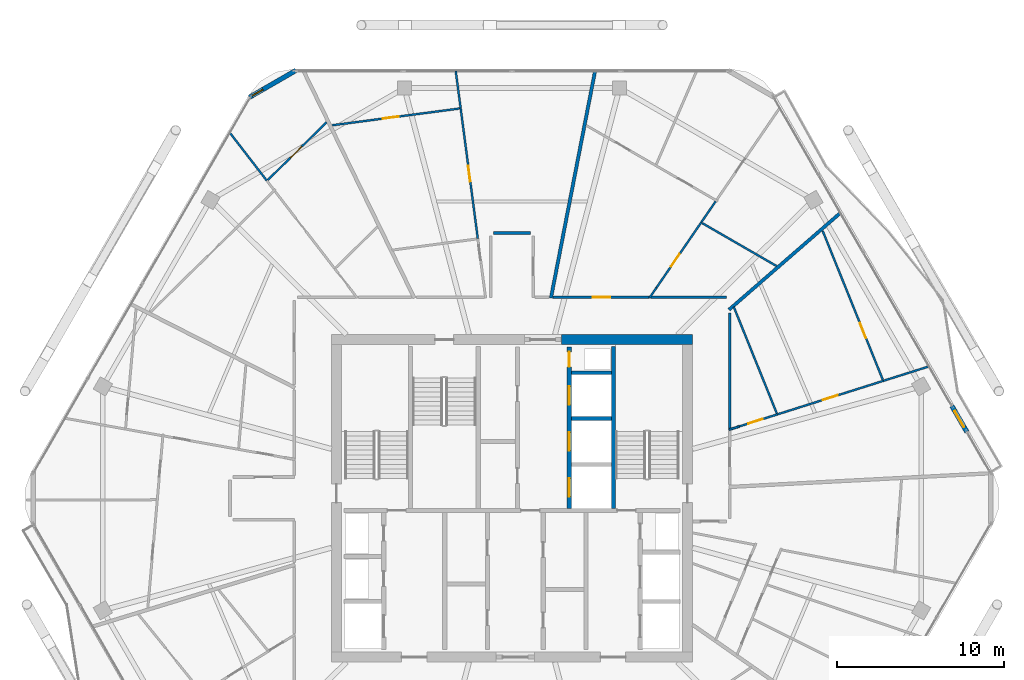
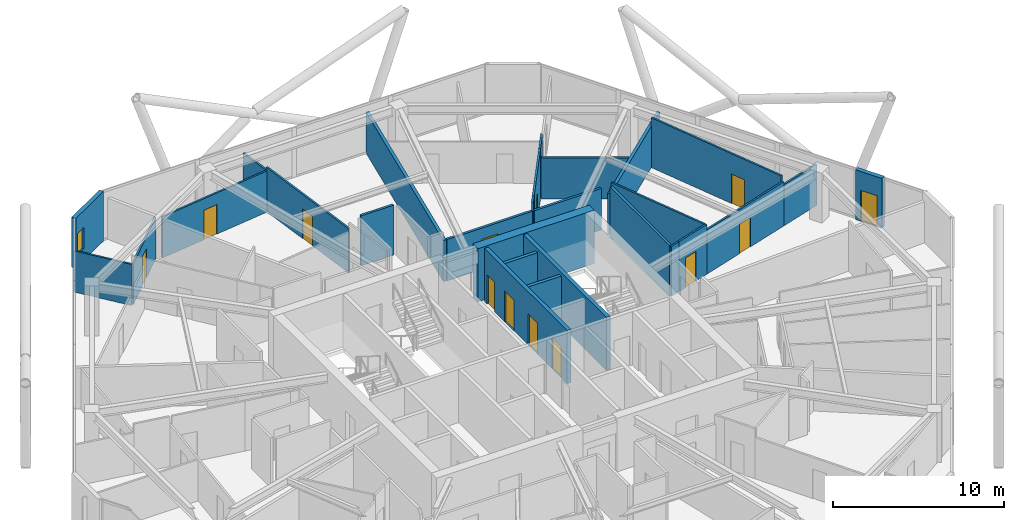
# One storey, part 24 of 28: 28 walls, 13 doors, 1 window, 14 openings.
"""IFC4 building model written with IfcOpenShell, lengths in metres."""

from ifc_helpers import new_model, si_unit, direction, frame, frame_2d, origin, place, context, subcontext, project, spatial, rectangle, extrude, material, layer, layer_set, type_object, element, fill, save


model = new_model("IFC4")

# Units and contexts
model_context = context("Model", 3, precision=1e-05, world=origin(), true_north=direction((0.0, 1.0)))
body_context = subcontext(model_context, "Body", "Model", "MODEL_VIEW")
ifc_project = project(units=[si_unit("LENGTHUNIT", "METRE"), si_unit("AREAUNIT", "SQUARE_METRE"), si_unit("VOLUMEUNIT", "CUBIC_METRE"), si_unit("PLANEANGLEUNIT", "RADIAN"), si_unit("MASSUNIT", "GRAM", prefix="KILO")], contexts=[model_context])

# Site, building, storey
site_placement = place(None, origin())
site = spatial("IfcSite", under=ifc_project, at=site_placement, CompositionType="ELEMENT")
building_placement = place(site_placement, origin())
building = spatial("IfcBuilding", under=site, at=building_placement, Name="Zuhravey Tower", CompositionType="ELEMENT")
storey_placement = place(building_placement, frame((0.0, 0.0, 284.39990234375)))
storey = spatial("IfcBuildingStorey", under=building, at=storey_placement, Name="L72", CompositionType="ELEMENT", Elevation=284.39990234375)

# Wall
ifc_material_1 = material(Name="Concrete C50/60", Category="concrete")
ifc_layer_1 = layer(ifc_material_1, 0.60009765625)
ifc_layer_set_1 = layer_set([ifc_layer_1], Name="Concrete C50/60")
wall_type_1 = type_object("IfcWallType", Name="Core Shear Wall 600", PredefinedType="SHEAR", material=ifc_layer_set_1)
wall_1_placement = place(storey_placement, frame((46.800048828125, 41.5, 0.0), z_axis=(0.0, 0.0, 1.0), x_axis=(-1.0, 0.0, 0.0)))
element("IfcWall", 1, at=wall_1_placement, inside=storey, type_object=wall_type_1, Name="L72 North-East Core Shear Wall CW60", PredefinedType="SHEAR", context=body_context, shape_type="SweptSolid", body=[
    extrude(rectangle(XDim=7.85009765625, YDim=0.60009765625, at=frame_2d((3.925048828125, 0.0))), origin(), (0.0, 0.0, 1.0), 3.800048828125),
])

# Wall, opening, door
ifc_material_2 = material(Name="Gypsum fire-rated stud partition")
ifc_layer_2 = layer(ifc_material_2, 0.159912109375)
ifc_layer_set_2 = layer_set([ifc_layer_2], Name="Gypsum fire-rated stud partition")
wall_type_2 = type_object("IfcWallType", Name="Corridor Fire Partition 160", PredefinedType="PARTITIONING", material=ifc_layer_set_2)
wall_2_placement = place(storey_placement, frame((44.22509765625, 44.030029296875, 0.0), z_axis=(0.0, 0.0, 1.0), x_axis=(-1.0, 0.0, 0.0)))
wall_2 = element("IfcWall", 2, at=wall_2_placement, inside=storey, type_object=wall_type_2, Name="L72 IW16 Partition 055", PredefinedType="PARTITIONING", context=body_context, shape_type="SweptSolid", body=[
    extrude(rectangle(XDim=5.757080078125, YDim=0.159912109375, at=frame_2d((2.87841796875, 0.0))), origin(), (0.0, 0.0, 1.0), 2.9501953125),
])
opening_1_placement = place(wall_2_placement, frame((2.353759765625, 0.0, 0.0)))
opening_1 = element("IfcOpeningElement", 3, at=opening_1_placement, cuts=wall_2, Name="Opening APD1", PredefinedType="OPENING", context=body_context, shape_type="SweptSolid", body=[
    extrude(rectangle(XDim=1.050048828125, YDim=2.14990234375, at=frame_2d((0.52490234375, 1.074951171875))), frame((0.0, 0.092041015625, 0.0), z_axis=(0.0, -1.0, 0.0), x_axis=(1.0, 0.0, 0.0)), (0.0, 0.0, 1.0), 0.183837890625),
])
ifc_material_3 = material(Name="Solid-core oak fire-rated leaf")
door_type_1 = type_object("IfcDoorType", Name="Apartment Entrance Fire Door 1050x2150", OperationType="NOTDEFINED", PredefinedType="DOOR", material=ifc_material_3)
door_1_placement = place(opening_1_placement, frame((1.050048828125, 0.0, 0.0), z_axis=(0.0, 0.0, 1.0), x_axis=(-1.0, 0.0, 0.0)))
door_1 = element("IfcDoor", 4, at=door_1_placement, inside=storey, type_object=door_type_1, Name="L72 Door 055.1", OperationType="SINGLE_SWING_LEFT", OverallHeight=2.14990234375, OverallWidth=1.050048828125, PredefinedType="DOOR", context=body_context, shape_type="SweptSolid", body=[
    extrude(rectangle(XDim=1.050048828125, YDim=2.14990234375, at=frame_2d((0.52490234375, 1.074951171875))), frame((0.0, 0.02490234375, 0.0), z_axis=(0.0, -1.0, 0.0), x_axis=(1.0, 0.0, 0.0)), (0.0, 0.0, 1.0), 0.050048828125),
])
fill(opening_1, door_1)

# Walls
wall_3_placement = place(storey_placement, frame((49.030029296875, 36.194580078125, 0.0), z_axis=(0.0, 0.0, 1.0), x_axis=(0.0, 1.0, 0.0)))
element("IfcWall", 5, at=wall_3_placement, inside=storey, type_object=wall_type_2, Name="L72 IW16 Partition 130", PredefinedType="PARTITIONING", context=body_context, shape_type="SweptSolid", body=[
    extrude(rectangle(XDim=6.90771484375, YDim=0.159912109375, at=frame_2d((3.453857421875, 0.0))), origin(), (0.0, 0.0, 1.0), 3.550048828125),
])
wall_4_placement = place(storey_placement, frame((48.85009765625, 44.030029296875, 0.0), z_axis=(0.0, 0.0, 1.0), x_axis=(-1.0, 0.0, 0.0)))
element("IfcWall", 6, at=wall_4_placement, inside=storey, type_object=wall_type_2, Name="L72 IW16 Partition 131", PredefinedType="PARTITIONING", context=body_context, shape_type="SweptSolid", body=[
    extrude(rectangle(XDim=4.518310546875, YDim=0.159912109375, at=frame_2d((2.25927734375, 0.0))), origin(), (0.0, 0.0, 1.0), 2.9501953125),
])
wall_5_placement = place(storey_placement, frame((37.10009765625, 47.8798828125, 0.0), z_axis=(0.0, 0.0, 1.0), x_axis=(-1.0, 0.0, 0.0)))
element("IfcWall", 7, at=wall_5_placement, inside=storey, type_object=wall_type_2, Name="L72 IW16 Partition 133", PredefinedType="PARTITIONING", context=body_context, shape_type="SweptSolid", body=[
    extrude(rectangle(XDim=2.2001953125, YDim=0.159912109375, at=frame_2d((1.10009765625, 0.0))), origin(), (0.0, 0.0, 1.0), 3.550048828125),
])

# Wall, opening, window
ifc_material_4 = material(Name="Precast concrete C40/50", Category="concrete")
ifc_layer_3 = layer(ifc_material_4, 0.280029296875)
ifc_layer_set_3 = layer_set([ifc_layer_3], Name="Precast concrete C40/50")
wall_type_3 = type_object("IfcWallType", Name="Crown Architectural Wall 280", PredefinedType="SOLIDWALL", material=ifc_layer_set_3)
wall_6_placement = place(storey_placement, frame((20.285400390625, 56.003662109375, 0.0), z_axis=(0.0, 0.0, 1.0), x_axis=(0.866028773314, 0.499994163758, 0.0)))
wall_6 = element("IfcWall", 8, at=wall_6_placement, inside=storey, type_object=wall_type_3, Name="L72 Rounded Corner Closure Wall EW28-08", PredefinedType="SOLIDWALL", context=body_context, shape_type="SweptSolid", body=[
    extrude(rectangle(XDim=3.21484375, YDim=0.280029296875, at=frame_2d((1.607421875, 0.0))), origin(), (0.0, 0.0, 1.0), 3.550048828125),
])
opening_2_placement = place(wall_6_placement, frame((0.17578125, 0.0, 0.85009765625)))
opening_2 = element("IfcOpeningElement", 9, at=opening_2_placement, cuts=wall_6, Name="Opening WN5", PredefinedType="OPENING", context=body_context, shape_type="SweptSolid", body=[
    extrude(rectangle(XDim=0.75, YDim=1.5, at=frame_2d((0.375, 0.75))), frame((0.0, 0.152099609375, 0.0), z_axis=(0.0, -1.0, 0.0), x_axis=(1.0, 0.0, 0.0)), (0.0, 0.0, 1.0), 0.303955078125),
])
ifc_material_5 = material(Name="Thermally broken aluminium and triple low-E glass", Category="aluminium")
window_type = type_object("IfcWindowType", Name="Residential Corner Casement Window 750x1500", PartitioningType="SINGLE_PANEL", PredefinedType="WINDOW", material=ifc_material_5)
window_placement = place(opening_2_placement, origin())
window = element("IfcWindow", 10, at=window_placement, inside=storey, type_object=window_type, Name="L72 Corner Casement Window WN5-08.1", OverallHeight=1.5, OverallWidth=0.75, PartitioningType="SINGLE_PANEL", PredefinedType="WINDOW", context=body_context, shape_type="SweptSolid", body=[
    extrude(rectangle(XDim=0.75, YDim=1.5, at=frame_2d((0.375, 0.75))), frame((0.0, 0.030029296875, 0.0), z_axis=(0.0, -1.0, 0.0), x_axis=(1.0, 0.0, 0.0)), (0.0, 0.0, 1.0), 0.06005859375),
])
fill(opening_2, window)

# Wall, opening, door
wall_7_placement = place(storey_placement, frame((62.32568359375, 37.530029296875, 0.0), z_axis=(0.0, 0.0, 1.0), x_axis=(0.499982180423, -0.866035691677, 0.0)))
wall_7 = element("IfcWall", 11, at=wall_7_placement, inside=storey, type_object=wall_type_3, Name="L72 Face 1 Facade Pier EW28-1", PredefinedType="SOLIDWALL", context=body_context, shape_type="SweptSolid", body=[
    extrude(rectangle(XDim=1.7900390625, YDim=0.280029296875, at=frame_2d((0.89501953125, 0.0))), origin(), (0.0, 0.0, 1.0), 3.550048828125),
])
opening_3_placement = place(wall_7_placement, frame((0.344970703125, 0.0, 0.0)))
opening_3 = element("IfcOpeningElement", 12, at=opening_3_placement, cuts=wall_7, Name="Opening BLD1", PredefinedType="OPENING", context=body_context, shape_type="SweptSolid", body=[
    extrude(rectangle(XDim=1.10009765625, YDim=2.199951171875, at=frame_2d((0.550048828125, 1.10009765625))), frame((0.0, 0.152099609375, 0.0), z_axis=(0.0, -1.0, 0.0), x_axis=(1.0, 0.0, 0.0)), (0.0, 0.0, 1.0), 0.303955078125),
])
ifc_material_6 = material(Name="Thermally broken aluminium and low-E glass", Category="aluminium")
door_type_2 = type_object("IfcDoorType", Name="Balcony & Sky-Tray Glazed Door 1100x2200", OperationType="NOTDEFINED", PredefinedType="DOOR", material=ifc_material_6)
door_2_placement = place(opening_3_placement, frame((1.10009765625, 0.0, 0.0), z_axis=(0.0, 0.0, 1.0), x_axis=(-1.0, 0.0, 0.0)))
door_2 = element("IfcDoor", 13, at=door_2_placement, inside=storey, type_object=door_type_2, Name="L72 Face 1 Wave Balcony Door", OperationType="SINGLE_SWING_RIGHT", OverallHeight=2.199951171875, OverallWidth=1.10009765625, PredefinedType="DOOR", context=body_context, shape_type="SweptSolid", body=[
    extrude(rectangle(XDim=1.10009765625, YDim=2.199951171875, at=frame_2d((0.550048828125, 1.10009765625))), frame((0.0, 0.02490234375, 0.0), z_axis=(0.0, -1.0, 0.0), x_axis=(1.0, 0.0, 0.0)), (0.0, 0.0, 1.0), 0.050048828125),
])
fill(opening_3, door_2)

# Wall
ifc_layer_4 = layer(ifc_material_1, 0.25)
ifc_layer_set_4 = layer_set([ifc_layer_4], Name="Concrete C50/60")
wall_type_4 = type_object("IfcWallType", Name="Firefighting Shaft & Stair Wall 250", PredefinedType="SOLIDWALL", material=ifc_layer_set_4)
wall_8_placement = place(storey_placement, frame((42.074951171875, 31.39990234375, 0.0), z_axis=(0.0, 0.0, 1.0), x_axis=(0.0, 1.0, 0.0)))
element("IfcWall", 14, at=wall_8_placement, inside=storey, type_object=wall_type_4, Name="L72 FW25 Shaft Wall 006", PredefinedType="SOLIDWALL", context=body_context, shape_type="SweptSolid", body=[
    extrude(rectangle(XDim=9.7001953125, YDim=0.25, at=frame_2d((4.85009765625, 0.0))), origin(), (0.0, 0.0, 1.0), 3.800048828125),
])

# Wall, openings, doors
wall_9_placement = place(storey_placement, frame((39.425048828125, 31.39990234375, 0.0), z_axis=(0.0, 0.0, 1.0), x_axis=(0.0, 1.0, 0.0)))
wall_9 = element("IfcWall", 15, at=wall_9_placement, inside=storey, type_object=wall_type_4, Name="L72 FW25 Shaft Wall 008", PredefinedType="SOLIDWALL", context=body_context, shape_type="SweptSolid", body=[
    extrude(rectangle(XDim=9.650146484375, YDim=0.25, at=frame_2d((4.8251953125, 0.0))), origin(), (0.0, 0.0, 1.0), 3.800048828125),
])
opening_4_placement = place(wall_9_placement, frame((0.699951171875, 0.0, 0.0)))
opening_4 = element("IfcOpeningElement", 16, at=opening_4_placement, cuts=wall_9, Name="Opening LD1", PredefinedType="OPENING", context=body_context, shape_type="SweptSolid", body=[
    extrude(rectangle(XDim=1.10009765625, YDim=2.199951171875, at=frame_2d((0.550048828125, 1.10009765625))), frame((0.0, 0.136962890625, 0.0), z_axis=(0.0, -1.0, 0.0), x_axis=(1.0, 0.0, 0.0)), (0.0, 0.0, 1.0), 0.27392578125),
])
opening_5_placement = place(wall_9_placement, frame((3.449951171875, 0.0, 0.0)))
opening_5 = element("IfcOpeningElement", 17, at=opening_5_placement, cuts=wall_9, Name="Opening LD1", PredefinedType="OPENING", context=body_context, shape_type="SweptSolid", body=[
    extrude(rectangle(XDim=1.10009765625, YDim=2.199951171875, at=frame_2d((0.550048828125, 1.10009765625))), frame((0.0, 0.136962890625, 0.0), z_axis=(0.0, -1.0, 0.0), x_axis=(1.0, 0.0, 0.0)), (0.0, 0.0, 1.0), 0.27392578125),
])
opening_6_placement = place(wall_9_placement, frame((6.199951171875, 0.0, 0.0)))
opening_6 = element("IfcOpeningElement", 18, at=opening_6_placement, cuts=wall_9, Name="Opening LD1", PredefinedType="OPENING", context=body_context, shape_type="SweptSolid", body=[
    extrude(rectangle(XDim=1.10009765625, YDim=2.199951171875, at=frame_2d((0.550048828125, 1.10009765625))), frame((0.0, 0.136962890625, 0.0), z_axis=(0.0, -1.0, 0.0), x_axis=(1.0, 0.0, 0.0)), (0.0, 0.0, 1.0), 0.27392578125),
])
opening_7_placement = place(wall_9_placement, frame((8.469970703125, 0.0, 0.0)))
opening_7 = element("IfcOpeningElement", 19, at=opening_7_placement, cuts=wall_9, Name="Opening RSD1", PredefinedType="OPENING", context=body_context, shape_type="SweptSolid", body=[
    extrude(rectangle(XDim=0.89990234375, YDim=2.10009765625, at=frame_2d((0.449951171875, 1.050048828125))), frame((0.0, 0.136962890625, 0.0), z_axis=(0.0, -1.0, 0.0), x_axis=(1.0, 0.0, 0.0)), (0.0, 0.0, 1.0), 0.27392578125),
])
ifc_material_7 = material(Name="Brushed stainless steel", Category="steel")
door_type_3 = type_object("IfcDoorType", Name="Lift Landing Sliding Door 1100x2200", OperationType="DOUBLE_DOOR_SLIDING", PredefinedType="DOOR", material=ifc_material_7)
door_3_placement = place(opening_4_placement, origin())
door_3 = element("IfcDoor", 20, at=door_3_placement, inside=storey, type_object=door_type_3, Name="L72 Lift PL7 Landing Door", OperationType="DOUBLE_DOOR_SLIDING", OverallHeight=2.199951171875, OverallWidth=1.10009765625, PredefinedType="DOOR", context=body_context, shape_type="SweptSolid", body=[
    extrude(rectangle(XDim=1.10009765625, YDim=2.199951171875, at=frame_2d((0.550048828125, 1.10009765625))), frame((0.0, 0.02490234375, 0.0), z_axis=(0.0, -1.0, 0.0), x_axis=(1.0, 0.0, 0.0)), (0.0, 0.0, 1.0), 0.050048828125),
])
fill(opening_4, door_3)
door_4_placement = place(opening_5_placement, origin())
door_4 = element("IfcDoor", 21, at=door_4_placement, inside=storey, type_object=door_type_3, Name="L72 Lift PL8 Landing Door", OperationType="DOUBLE_DOOR_SLIDING", OverallHeight=2.199951171875, OverallWidth=1.10009765625, PredefinedType="DOOR", context=body_context, shape_type="SweptSolid", body=[
    extrude(rectangle(XDim=1.10009765625, YDim=2.199951171875, at=frame_2d((0.550048828125, 1.10009765625))), frame((0.0, 0.02490234375, 0.0), z_axis=(0.0, -1.0, 0.0), x_axis=(1.0, 0.0, 0.0)), (0.0, 0.0, 1.0), 0.050048828125),
])
fill(opening_5, door_4)
door_5_placement = place(opening_6_placement, origin())
door_5 = element("IfcDoor", 22, at=door_5_placement, inside=storey, type_object=door_type_3, Name="L72 Lift PL9 Landing Door", OperationType="DOUBLE_DOOR_SLIDING", OverallHeight=2.199951171875, OverallWidth=1.10009765625, PredefinedType="DOOR", context=body_context, shape_type="SweptSolid", body=[
    extrude(rectangle(XDim=1.10009765625, YDim=2.199951171875, at=frame_2d((0.550048828125, 1.10009765625))), frame((0.0, 0.02490234375, 0.0), z_axis=(0.0, -1.0, 0.0), x_axis=(1.0, 0.0, 0.0)), (0.0, 0.0, 1.0), 0.050048828125),
])
fill(opening_6, door_5)
ifc_material_8 = material(Name="Galvanised fire-rated steel access leaf", Category="steel")
door_type_4 = type_object("IfcDoorType", Name="Riser & Shaft Access Fire Door 900x2100", OperationType="NOTDEFINED", PredefinedType="DOOR", material=ifc_material_8)
door_6_placement = place(opening_7_placement, origin())
door_6 = element("IfcDoor", 23, at=door_6_placement, inside=storey, type_object=door_type_4, Name="L72 North Riser Door", OperationType="SINGLE_SWING_RIGHT", OverallHeight=2.10009765625, OverallWidth=0.89990234375, PredefinedType="DOOR", context=body_context, shape_type="SweptSolid", body=[
    extrude(rectangle(XDim=0.89990234375, YDim=2.10009765625, at=frame_2d((0.449951171875, 1.050048828125))), frame((0.0, 0.02490234375, 0.0), z_axis=(0.0, -1.0, 0.0), x_axis=(1.0, 0.0, 0.0)), (0.0, 0.0, 1.0), 0.050048828125),
])
fill(opening_7, door_6)

# Walls
ifc_material_9 = material(Name="Gypsum double-stud party assembly")
ifc_layer_5 = layer(ifc_material_9, 0.199951171875)
ifc_layer_set_5 = layer_set([ifc_layer_5], Name="Gypsum double-stud party assembly")
wall_type_5 = type_object("IfcWallType", Name="Inter-Tenancy Party Wall 200", PredefinedType="PARTITIONING", material=ifc_layer_set_5)
wall_10_placement = place(storey_placement, frame((48.989990234375, 43.2919921875, 0.0), z_axis=(0.0, 0.0, 1.0), x_axis=(0.754708486188, 0.656060287532, 0.0)))
element("IfcWall", 24, at=wall_10_placement, inside=storey, type_object=wall_type_5, Name="L72 IW20 Partition 102", PredefinedType="PARTITIONING", context=body_context, shape_type="SweptSolid", body=[
    extrude(rectangle(XDim=8.830322265625, YDim=0.199951171875, at=frame_2d((4.4150390625, 0.0))), origin(), (0.0, 0.0, 1.0), 2.93017578125),
])
wall_11_placement = place(storey_placement, frame((38.33056640625, 43.989990234375, 0.0), z_axis=(0.0, 0.0, 1.0), x_axis=(0.190806334077, 0.981627700748, 0.0)))
element("IfcWall", 25, at=wall_11_placement, inside=storey, type_object=wall_type_5, Name="L72 IW20 Partition 106", PredefinedType="PARTITIONING", context=body_context, shape_type="SweptSolid", body=[
    extrude(rectangle(XDim=13.827880859375, YDim=0.199951171875, at=frame_2d((6.9140625, 0.0))), origin(), (0.0, 0.0, 1.0), 2.93017578125),
])
ifc_material_10 = material(Name="Gypsum acoustic stud assembly")
ifc_layer_6 = layer(ifc_material_10, 0.219970703125)
ifc_layer_set_6 = layer_set([ifc_layer_6], Name="Gypsum acoustic stud assembly")
wall_type_6 = type_object("IfcWallType", Name="School Acoustic Compartment Wall 220", PredefinedType="PARTITIONING", material=ifc_layer_set_6)
for number, where, z_axis, x_axis, name in (
    (26, (39.55810546875, 36.77490234375, 0.0), (0.0, 0.0, 1.0), (1.0, 0.0, 0.0), "L72 IW22 Partition 068"),
    (27, (39.55810546875, 39.52490234375, 0.0), (0.0, 0.0, 1.0), (1.0, 0.0, 0.0), "L72 IW22 Partition 069"),
):
    element("IfcWall", number, at=place(storey_placement, frame(where, z_axis=z_axis, x_axis=x_axis)), inside=storey, type_object=wall_type_6, Name=name, PredefinedType="PARTITIONING", context=body_context, shape_type="SweptSolid", body=[
        extrude(rectangle(XDim=2.3837890625, YDim=0.219970703125, at=frame_2d((1.19189453125, 0.0))), origin(), (0.0, 0.0, 1.0), 3.550048828125),
    ])

# Wall, opening, door
ifc_material_11 = material(Name="Gypsum metal-stud partition")
ifc_layer_7 = layer(ifc_material_11, 0.1201171875)
ifc_layer_set_7 = layer_set([ifc_layer_7], Name="Gypsum metal-stud partition")
wall_type_7 = type_object("IfcWallType", Name="Unit Internal Partition 120", PredefinedType="PARTITIONING", material=ifc_layer_set_7)
wall_12_placement = place(storey_placement, frame((49.60009765625, 36.3037109375, 0.0), z_axis=(0.0, 0.0, 1.0), x_axis=(0.953397144665, 0.301718220439, 0.0)))
wall_12 = element("IfcWall", 28, at=wall_12_placement, inside=storey, type_object=wall_type_7, Name="L72 IW12 Partition 047", PredefinedType="PARTITIONING", context=body_context, shape_type="SweptSolid", body=[
    extrude(rectangle(XDim=2.408935546875, YDim=0.1201171875, at=frame_2d((1.20458984375, 0.0))), origin(), (0.0, 0.0, 1.0), 3.550048828125),
])
opening_8_placement = place(wall_12_placement, frame((0.561767578125, 0.0, 0.0)))
opening_8 = element("IfcOpeningElement", 29, at=opening_8_placement, cuts=wall_12, Name="Opening WCD1", PredefinedType="OPENING", context=body_context, shape_type="SweptSolid", body=[
    extrude(rectangle(XDim=0.89990234375, YDim=2.10009765625, at=frame_2d((0.449951171875, 1.050048828125))), frame((0.0, 0.072021484375, 0.0), z_axis=(0.0, -1.0, 0.0), x_axis=(1.0, 0.0, 0.0)), (0.0, 0.0, 1.0), 0.14404296875),
])
ifc_material_12 = material(Name="Moisture-resistant timber leaf", Category="wood")
door_type_5 = type_object("IfcDoorType", Name="Bathroom & WC Internal Door 900x2100", OperationType="NOTDEFINED", PredefinedType="DOOR", material=ifc_material_12)
door_7_placement = place(opening_8_placement, origin())
door_7 = element("IfcDoor", 30, at=door_7_placement, inside=storey, type_object=door_type_5, Name="Apartment L72-06 Bathroom Door", OperationType="SINGLE_SWING_LEFT", OverallHeight=2.10009765625, OverallWidth=0.89990234375, PredefinedType="DOOR", context=body_context, shape_type="SweptSolid", body=[
    extrude(rectangle(XDim=0.89990234375, YDim=2.10009765625, at=frame_2d((0.449951171875, 1.050048828125))), frame((0.0, 0.02490234375, 0.0), z_axis=(0.0, -1.0, 0.0), x_axis=(1.0, 0.0, 0.0)), (0.0, 0.0, 1.0), 0.050048828125),
])
fill(opening_8, door_7)

wall_13_placement = place(storey_placement, frame((51.896728515625, 37.030517578125, 0.0), z_axis=(0.0, 0.0, 1.0), x_axis=(0.953399562738, 0.301710579483, 0.0)))
wall_13 = element("IfcWall", 31, at=wall_13_placement, inside=storey, type_object=wall_type_7, Name="L72 IW12 Partition 048", PredefinedType="PARTITIONING", context=body_context, shape_type="SweptSolid", body=[
    extrude(rectangle(XDim=6.656494140625, YDim=0.1201171875, at=frame_2d((3.328125, 0.0))), origin(), (0.0, 0.0, 1.0), 3.150146484375),
])
opening_9_placement = place(wall_13_placement, frame((2.828125, 0.0, 0.0)))
opening_9 = element("IfcOpeningElement", 32, at=opening_9_placement, cuts=wall_13, Name="Opening IND1", PredefinedType="OPENING", context=body_context, shape_type="SweptSolid", body=[
    extrude(rectangle(XDim=0.949951171875, YDim=2.10009765625, at=frame_2d((0.47509765625, 1.050048828125))), frame((0.0, 0.072021484375, 0.0), z_axis=(0.0, -1.0, 0.0), x_axis=(1.0, 0.0, 0.0)), (0.0, 0.0, 1.0), 0.14404296875),
])
ifc_material_13 = material(Name="Painted engineered timber leaf", Category="wood")
door_type_6 = type_object("IfcDoorType", Name="Internal Room & Bedroom Door 950x2100", OperationType="NOTDEFINED", PredefinedType="DOOR", material=ifc_material_13)
door_8_placement = place(opening_9_placement, origin())
door_8 = element("IfcDoor", 33, at=door_8_placement, inside=storey, type_object=door_type_6, Name="Apartment L72-06 Home Office Door", OperationType="SINGLE_SWING_RIGHT", OverallHeight=2.10009765625, OverallWidth=0.949951171875, PredefinedType="DOOR", context=body_context, shape_type="SweptSolid", body=[
    extrude(rectangle(XDim=0.949951171875, YDim=2.10009765625, at=frame_2d((0.47509765625, 1.050048828125))), frame((0.0, 0.02490234375, 0.0), z_axis=(0.0, -1.0, 0.0), x_axis=(1.0, 0.0, 0.0)), (0.0, 0.0, 1.0), 0.050048828125),
])
fill(opening_9, door_8)

wall_14_placement = place(storey_placement, frame((58.193603515625, 39.094482421875, 0.0), z_axis=(0.0, 0.0, 1.0), x_axis=(-0.374623406107, 0.927177061621, 0.0)))
wall_14 = element("IfcWall", 34, at=wall_14_placement, inside=storey, type_object=wall_type_7, Name="L72 IW12 Partition 049", PredefinedType="PARTITIONING", context=body_context, shape_type="SweptSolid", body=[
    extrude(rectangle(XDim=9.61572265625, YDim=0.1201171875, at=frame_2d((4.807861328125, 0.0))), origin(), (0.0, 0.0, 1.0), 3.550048828125),
])
opening_10_placement = place(wall_14_placement, frame((2.70849609375, 0.0, 0.0)))
opening_10 = element("IfcOpeningElement", 35, at=opening_10_placement, cuts=wall_14, Name="Opening IND1", PredefinedType="OPENING", context=body_context, shape_type="SweptSolid", body=[
    extrude(rectangle(XDim=0.949951171875, YDim=2.10009765625, at=frame_2d((0.47509765625, 1.050048828125))), frame((0.0, 0.072021484375, 0.0), z_axis=(0.0, -1.0, 0.0), x_axis=(1.0, 0.0, 0.0)), (0.0, 0.0, 1.0), 0.14404296875),
])
door_9_placement = place(opening_10_placement, frame((0.949951171875, 0.0, 0.0), z_axis=(0.0, 0.0, 1.0), x_axis=(-1.0, 0.0, 0.0)))
door_9 = element("IfcDoor", 36, at=door_9_placement, inside=storey, type_object=door_type_6, Name="Apartment L72-06 Bedroom 1 Door", OperationType="SINGLE_SWING_LEFT", OverallHeight=2.10009765625, OverallWidth=0.949951171875, PredefinedType="DOOR", context=body_context, shape_type="SweptSolid", body=[
    extrude(rectangle(XDim=0.949951171875, YDim=2.10009765625, at=frame_2d((0.47509765625, 1.050048828125))), frame((0.0, 0.02490234375, 0.0), z_axis=(0.0, -1.0, 0.0), x_axis=(1.0, 0.0, 0.0)), (0.0, 0.0, 1.0), 0.050048828125),
])
fill(opening_10, door_9)

wall_15_placement = place(storey_placement, frame((44.640380859375, 44.60009765625, 0.0), z_axis=(0.0, 0.0, 1.0), x_axis=(0.565580143748, 0.824693337549, 0.0)))
wall_15 = element("IfcWall", 37, at=wall_15_placement, inside=storey, type_object=wall_type_7, Name="L72 IW12 Partition 052", PredefinedType="PARTITIONING", context=body_context, shape_type="SweptSolid", body=[
    extrude(rectangle(XDim=4.763916015625, YDim=0.1201171875, at=frame_2d((2.3818359375, 0.0))), origin(), (0.0, 0.0, 1.0), 3.550048828125),
])
opening_11_placement = place(wall_15_placement, frame((1.55078125, 0.0, 0.0)))
opening_11 = element("IfcOpeningElement", 38, at=opening_11_placement, cuts=wall_15, Name="Opening WCD1", PredefinedType="OPENING", context=body_context, shape_type="SweptSolid", body=[
    extrude(rectangle(XDim=0.89990234375, YDim=2.10009765625, at=frame_2d((0.449951171875, 1.050048828125))), frame((0.0, 0.072021484375, 0.0), z_axis=(0.0, -1.0, 0.0), x_axis=(1.0, 0.0, 0.0)), (0.0, 0.0, 1.0), 0.14404296875),
])
door_10_placement = place(opening_11_placement, frame((0.89990234375, 0.0, 0.0), z_axis=(0.0, 0.0, 1.0), x_axis=(-1.0, 0.0, 0.0)))
door_10 = element("IfcDoor", 39, at=door_10_placement, inside=storey, type_object=door_type_5, Name="Apartment L72-07 Bathroom Door", OperationType="SINGLE_SWING_LEFT", OverallHeight=2.10009765625, OverallWidth=0.89990234375, PredefinedType="DOOR", context=body_context, shape_type="SweptSolid", body=[
    extrude(rectangle(XDim=0.89990234375, YDim=2.10009765625, at=frame_2d((0.449951171875, 1.050048828125))), frame((0.0, 0.02490234375, 0.0), z_axis=(0.0, -1.0, 0.0), x_axis=(1.0, 0.0, 0.0)), (0.0, 0.0, 1.0), 0.050048828125),
])
fill(opening_11, door_10)

# Wall
wall_16_placement = place(storey_placement, frame((47.33447265625, 48.529052734375, 0.0), z_axis=(0.0, 0.0, 1.0), x_axis=(0.565607068306, 0.824674871863, 0.0)))
element("IfcWall", 40, at=wall_16_placement, inside=storey, type_object=wall_type_7, Name="L72 IW12 Partition 053", PredefinedType="PARTITIONING", context=body_context, shape_type="SweptSolid", body=[
    extrude(rectangle(XDim=1.5068359375, YDim=0.1201171875, at=frame_2d((0.75341796875, 0.0))), origin(), (0.0, 0.0, 1.0), 3.550048828125),
])

# Wall, opening, door
wall_17_placement = place(storey_placement, frame((33.951904296875, 47.556884765625, 0.0), z_axis=(0.0, 0.0, 1.0), x_axis=(-0.130526693002, 0.991444795444, 0.0)))
wall_17 = element("IfcWall", 41, at=wall_17_placement, inside=storey, type_object=wall_type_7, Name="L72 IW12 Partition 057", PredefinedType="PARTITIONING", context=body_context, shape_type="SweptSolid", body=[
    extrude(rectangle(XDim=7.87451171875, YDim=0.1201171875, at=frame_2d((3.937255859375, 0.0))), origin(), (0.0, 0.0, 1.0), 3.150146484375),
])
opening_12_placement = place(wall_17_placement, frame((3.437255859375, 0.0, 0.0)))
opening_12 = element("IfcOpeningElement", 42, at=opening_12_placement, cuts=wall_17, Name="Opening IND1", PredefinedType="OPENING", context=body_context, shape_type="SweptSolid", body=[
    extrude(rectangle(XDim=0.949951171875, YDim=2.10009765625, at=frame_2d((0.47509765625, 1.050048828125))), frame((0.0, 0.072021484375, 0.0), z_axis=(0.0, -1.0, 0.0), x_axis=(1.0, 0.0, 0.0)), (0.0, 0.0, 1.0), 0.14404296875),
])
door_11_placement = place(opening_12_placement, origin())
door_11 = element("IfcDoor", 43, at=door_11_placement, inside=storey, type_object=door_type_6, Name="Apartment L72-08 Home Office Door", OperationType="SINGLE_SWING_LEFT", OverallHeight=2.10009765625, OverallWidth=0.949951171875, PredefinedType="DOOR", context=body_context, shape_type="SweptSolid", body=[
    extrude(rectangle(XDim=0.949951171875, YDim=2.10009765625, at=frame_2d((0.47509765625, 1.050048828125))), frame((0.0, 0.02490234375, 0.0), z_axis=(0.0, -1.0, 0.0), x_axis=(1.0, 0.0, 0.0)), (0.0, 0.0, 1.0), 0.050048828125),
])
fill(opening_12, door_11)

wall_18_placement = place(storey_placement, frame((32.860107421875, 55.330322265625, 0.0), z_axis=(0.0, 0.0, 1.0), x_axis=(-0.991445968749, -0.130517780591, 0.0)))
wall_18 = element("IfcWall", 44, at=wall_18_placement, inside=storey, type_object=wall_type_7, Name="L72 IW12 Partition 058", PredefinedType="PARTITIONING", context=body_context, shape_type="SweptSolid", body=[
    extrude(rectangle(XDim=7.68603515625, YDim=0.1201171875, at=frame_2d((3.843017578125, 0.0))), origin(), (0.0, 0.0, 1.0), 2.93017578125),
])
opening_13_placement = place(wall_18_placement, frame((3.6767578125, 0.0, 0.0)))
opening_13 = element("IfcOpeningElement", 45, at=opening_13_placement, cuts=wall_18, Name="Opening IND1", PredefinedType="OPENING", context=body_context, shape_type="SweptSolid", body=[
    extrude(rectangle(XDim=0.949951171875, YDim=2.10009765625, at=frame_2d((0.47509765625, 1.050048828125))), frame((0.0, 0.072021484375, 0.0), z_axis=(0.0, -1.0, 0.0), x_axis=(1.0, 0.0, 0.0)), (0.0, 0.0, 1.0), 0.14404296875),
])
door_12_placement = place(opening_13_placement, frame((0.949951171875, 0.0, 0.0), z_axis=(0.0, 0.0, 1.0), x_axis=(-1.0, 0.0, 0.0)))
door_12 = element("IfcDoor", 46, at=door_12_placement, inside=storey, type_object=door_type_6, Name="Apartment L72-08 Bedroom 1 Door", OperationType="SINGLE_SWING_RIGHT", OverallHeight=2.10009765625, OverallWidth=0.949951171875, PredefinedType="DOOR", context=body_context, shape_type="SweptSolid", body=[
    extrude(rectangle(XDim=0.949951171875, YDim=2.10009765625, at=frame_2d((0.47509765625, 1.050048828125))), frame((0.0, 0.02490234375, 0.0), z_axis=(0.0, -1.0, 0.0), x_axis=(1.0, 0.0, 0.0)), (0.0, 0.0, 1.0), 0.050048828125),
])
fill(opening_13, door_12)

wall_19_placement = place(storey_placement, frame((24.8935546875, 54.500244140625, 0.0), z_axis=(0.0, 0.0, 1.0), x_axis=(-0.713280305257, -0.700878881214, 0.0)))
wall_19 = element("IfcWall", 47, at=wall_19_placement, inside=storey, type_object=wall_type_7, Name="L72 IW12 Partition 064", PredefinedType="PARTITIONING", context=body_context, shape_type="SweptSolid", body=[
    extrude(rectangle(XDim=4.921630859375, YDim=0.1201171875, at=frame_2d((2.4609375, 0.0))), origin(), (0.0, 0.0, 1.0), 2.93017578125),
])
opening_14_placement = place(wall_19_placement, frame((2.0703125, 0.0, 0.0)))
opening_14 = element("IfcOpeningElement", 48, at=opening_14_placement, cuts=wall_19, Name="Opening IND1", PredefinedType="OPENING", context=body_context, shape_type="SweptSolid", body=[
    extrude(rectangle(XDim=0.949951171875, YDim=2.10009765625, at=frame_2d((0.47509765625, 1.050048828125))), frame((0.0, 0.072021484375, 0.0), z_axis=(0.0, -1.0, 0.0), x_axis=(1.0, 0.0, 0.0)), (0.0, 0.0, 1.0), 0.14404296875),
])
door_13_placement = place(opening_14_placement, frame((0.949951171875, 0.0, 0.0), z_axis=(0.0, 0.0, 1.0), x_axis=(-1.0, 0.0, 0.0)))
door_13 = element("IfcDoor", 49, at=door_13_placement, inside=storey, type_object=door_type_6, Name="Apartment L72-09 Bedroom 1 Door", OperationType="SINGLE_SWING_LEFT", OverallHeight=2.10009765625, OverallWidth=0.949951171875, PredefinedType="DOOR", context=body_context, shape_type="SweptSolid", body=[
    extrude(rectangle(XDim=0.949951171875, YDim=2.10009765625, at=frame_2d((0.47509765625, 1.050048828125))), frame((0.0, 0.02490234375, 0.0), z_axis=(0.0, -1.0, 0.0), x_axis=(1.0, 0.0, 0.0)), (0.0, 0.0, 1.0), 0.050048828125),
])
fill(opening_14, door_13)

# Walls
wall_20_placement = place(storey_placement, frame((48.986083984375, 36.109619140625, 0.0), z_axis=(0.0, 0.0, 1.0), x_axis=(0.953496678804, 0.301403522723, 0.0)))
element("IfcWall", 50, at=wall_20_placement, inside=storey, type_object=wall_type_7, Name="L72 IW12 Partition 099", PredefinedType="PARTITIONING", context=body_context, shape_type="SweptSolid", body=[
    extrude(rectangle(XDim=0.64404296875, YDim=0.1201171875, at=frame_2d((0.322021484375, 0.0))), origin(), (0.0, 0.0, 1.0), 3.550048828125),
])
wall_21_placement = place(storey_placement, frame((58.242919921875, 39.038818359375, 0.0), z_axis=(0.0, 0.0, 1.0), x_axis=(0.953407887194, 0.301684273102, 0.0)))
element("IfcWall", 51, at=wall_21_placement, inside=storey, type_object=wall_type_7, Name="L72 IW12 Partition 100", PredefinedType="PARTITIONING", context=body_context, shape_type="SweptSolid", body=[
    extrude(rectangle(XDim=2.8525390625, YDim=0.1201171875, at=frame_2d((1.42626953125, 0.0))), origin(), (0.0, 0.0, 1.0), 2.93017578125),
])
wall_22_placement = place(storey_placement, frame((51.847412109375, 37.086181640625, 0.0), z_axis=(0.0, 0.0, 1.0), x_axis=(-0.374624981599, 0.927176425047, 0.0)))
element("IfcWall", 52, at=wall_22_placement, inside=storey, type_object=wall_type_7, Name="L72 IW12 Partition 101", PredefinedType="PARTITIONING", context=body_context, shape_type="SweptSolid", body=[
    extrude(rectangle(XDim=6.8798828125, YDim=0.1201171875, at=frame_2d((3.43994140625, 0.0))), origin(), (0.0, 0.0, 1.0), 3.550048828125),
])
wall_23_placement = place(storey_placement, frame((44.22509765625, 43.99462890625, 0.0), z_axis=(0.0, 0.0, 1.0), x_axis=(0.565625284297, 0.824662378046, 0.0)))
element("IfcWall", 53, at=wall_23_placement, inside=storey, type_object=wall_type_7, Name="L72 IW12 Partition 104", PredefinedType="PARTITIONING", context=body_context, shape_type="SweptSolid", body=[
    extrude(rectangle(XDim=0.734130859375, YDim=0.1201171875, at=frame_2d((0.3671875, 0.0))), origin(), (0.0, 0.0, 1.0), 3.550048828125),
])
wall_24_placement = place(storey_placement, frame((51.83056640625, 45.904296875, 0.0), z_axis=(0.0, 0.0, 1.0), x_axis=(-0.866030548046, 0.499991089772, 0.0)))
element("IfcWall", 54, at=wall_24_placement, inside=storey, type_object=wall_type_7, Name="L72 IW12 Partition 105", PredefinedType="PARTITIONING", context=body_context, shape_type="SweptSolid", body=[
    extrude(rectangle(XDim=5.1396484375, YDim=0.1201171875, at=frame_2d((2.56982421875, 0.0))), origin(), (0.0, 0.0, 1.0), 2.9501953125),
])
wall_25_placement = place(storey_placement, frame((32.924072265625, 55.364013671875, 0.0), z_axis=(0.0, 0.0, 1.0), x_axis=(-0.130545396872, 0.991442332844, 0.0)))
element("IfcWall", 55, at=wall_25_placement, inside=storey, type_object=wall_type_7, Name="L72 IW12 Partition 108", PredefinedType="PARTITIONING", context=body_context, shape_type="SweptSolid", body=[
    extrude(rectangle(XDim=2.2236328125, YDim=0.1201171875, at=frame_2d((1.11181640625, 0.0))), origin(), (0.0, 0.0, 1.0), 2.93017578125),
])
wall_26_placement = place(storey_placement, frame((21.31884765625, 51.022705078125, 0.0), z_axis=(0.0, 0.0, 1.0), x_axis=(-0.610999451225, 0.791631019227, 0.0)))
element("IfcWall", 56, at=wall_26_placement, inside=storey, type_object=wall_type_7, Name="L72 IW12 Partition 112", PredefinedType="PARTITIONING", context=body_context, shape_type="SweptSolid", body=[
    extrude(rectangle(XDim=3.6142578125, YDim=0.1201171875, at=frame_2d((1.80712890625, 0.0))), origin(), (0.0, 0.0, 1.0), 2.93017578125),
])

save(model, "model.ifc")
